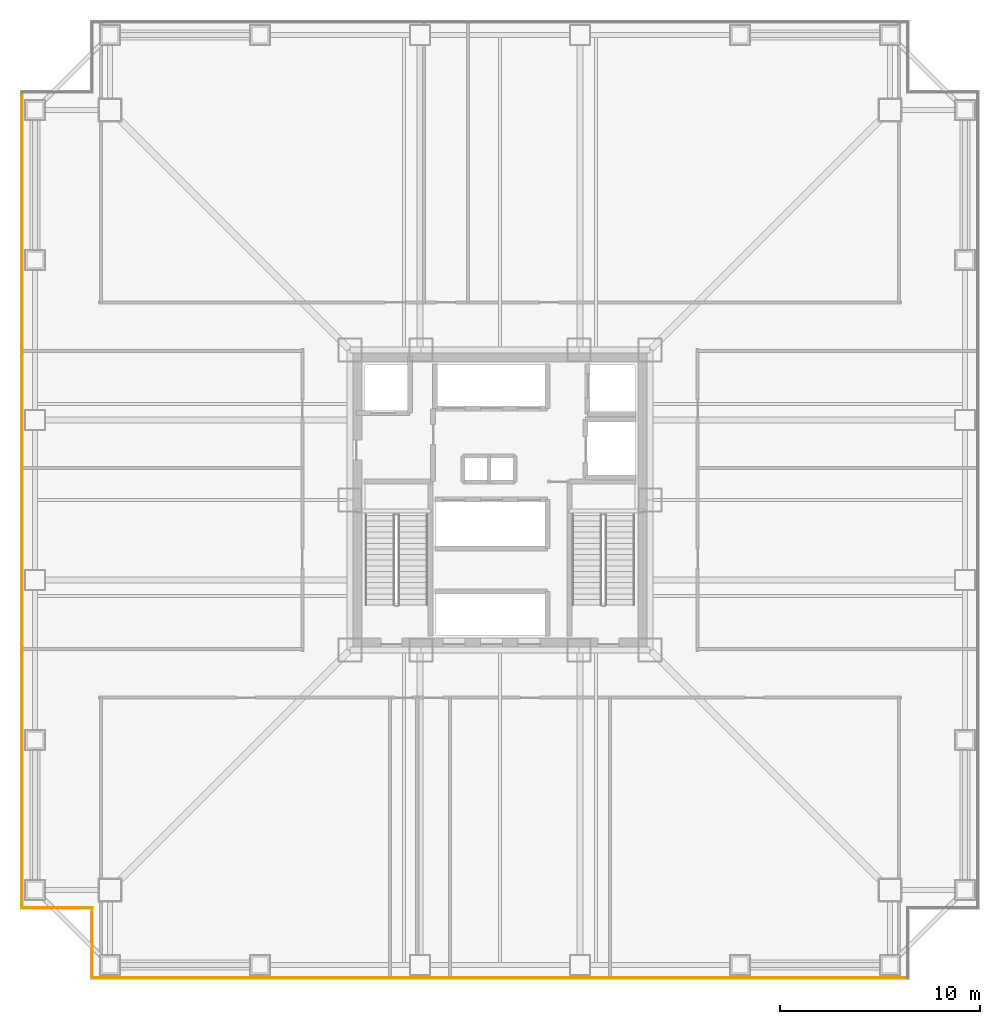
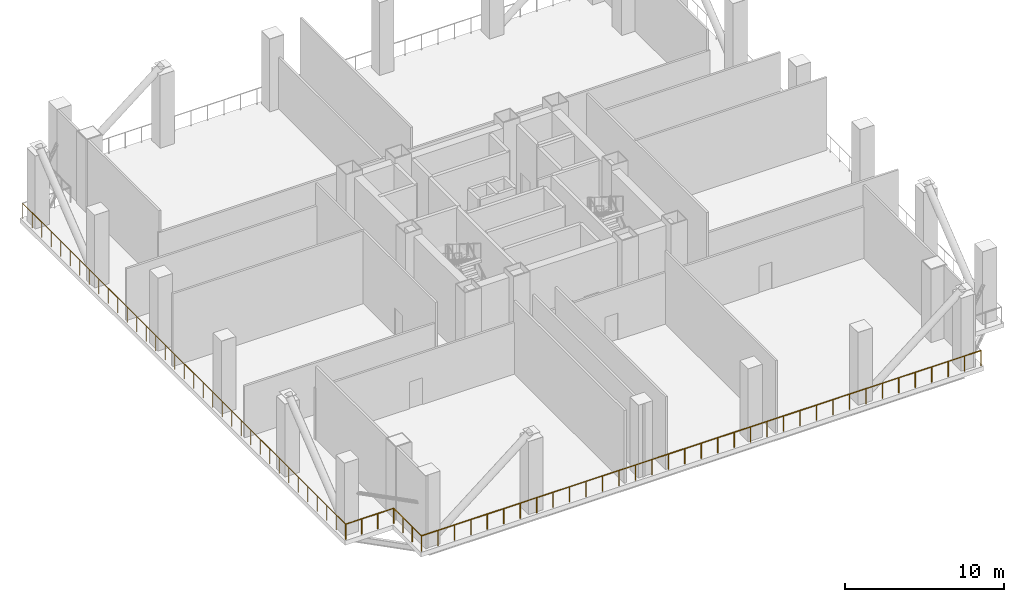
# One storey, part 5 of 7: 4 railings.
"""IFC4 building model written with IfcOpenShell, lengths in metres."""

from ifc_helpers import new_model, si_unit, direction, frame, origin, origin_2d, place, context, subcontext, project, spatial, circle, extrude, material, type_object, element, save


model = new_model("IFC4")

# Units and contexts
model_context = context("Model", 3, precision=1e-05, world=origin(), true_north=direction((0.0, 1.0)))
body_context = subcontext(model_context, "Body", "Model", "MODEL_VIEW")
ifc_project = project(units=[si_unit("LENGTHUNIT", "METRE"), si_unit("AREAUNIT", "SQUARE_METRE"), si_unit("VOLUMEUNIT", "CUBIC_METRE"), si_unit("PLANEANGLEUNIT", "RADIAN"), si_unit("MASSUNIT", "GRAM", prefix="KILO")], contexts=[model_context])

# Site, building, storey
site_placement = place(None, origin())
site = spatial("IfcSite", under=ifc_project, at=site_placement, CompositionType="ELEMENT")
building_placement = place(site_placement, origin())
building = spatial("IfcBuilding", under=site, at=building_placement, Name="Trevonay Congress Spire", CompositionType="ELEMENT")
storey_placement = place(building_placement, frame((0.0, 0.0, 88.0)))
storey = spatial("IfcBuildingStorey", under=building, at=storey_placement, Name="L22", CompositionType="ELEMENT", Elevation=88.0)

# Railings
ifc_material = material(Name="Pale Anodised Aluminium EN AW-6063-T6", Category="aluminium")
railing_type = type_object("IfcRailingType", Name="RAL-WIND-GUARD-120", PredefinedType="GUARDRAIL", material=ifc_material)
railing_1_placement = place(storey_placement, frame((-20.3798828125, -23.8798828125, 0.0)))
element("IfcRailing", 1, at=railing_1_placement, inside=storey, type_object=railing_type, Name="L22 perimeter safety guard GRD-L22-WIND-1", PredefinedType="GUARDRAIL", context=body_context, shape_type="SweptSolid", body=[
    extrude(circle(Radius=0.02392578125, at=origin_2d()), frame((0.0, 0.0, 1.17578125), z_axis=(0.0, 1.0, 0.0), x_axis=(-1.0, 0.0, 0.0)), (0.0, 0.0, 1.0), 3.5),
    extrude(circle(Radius=0.02099609375, at=origin_2d()), origin(), (0.0, 0.0, 1.0), 1.15185546875),
    extrude(circle(Radius=0.02099609375, at=origin_2d()), frame((0.0, 1.166748046875, 0.0)), (0.0, 0.0, 1.0), 1.15185546875),
    extrude(circle(Radius=0.02099609375, at=origin_2d()), frame((0.0, 2.333251953125, 0.0)), (0.0, 0.0, 1.0), 1.15185546875),
    extrude(circle(Radius=0.02099609375, at=origin_2d()), frame((0.0, 3.5, 0.0)), (0.0, 0.0, 1.0), 1.15185546875),
])
railing_2_placement = place(storey_placement, frame((-20.3798828125, -20.3798828125, 0.0)))
element("IfcRailing", 2, at=railing_2_placement, inside=storey, type_object=railing_type, Name="L22 perimeter safety guard GRD-L22-WIND-2", PredefinedType="GUARDRAIL", context=body_context, shape_type="SweptSolid", body=[
    extrude(circle(Radius=0.02392578125, at=origin_2d()), frame((0.0, 0.0, 1.17578125), z_axis=(-1.0, 0.0, 0.0), x_axis=(0.0, -1.0, 0.0)), (0.0, 0.0, 1.0), 3.5),
    extrude(circle(Radius=0.02099609375, at=origin_2d()), origin(), (0.0, 0.0, 1.0), 1.15185546875),
    extrude(circle(Radius=0.02099609375, at=origin_2d()), frame((-1.166748046875, 0.0, 0.0)), (0.0, 0.0, 1.0), 1.15185546875),
    extrude(circle(Radius=0.02099609375, at=origin_2d()), frame((-2.333251953125, 0.0, 0.0)), (0.0, 0.0, 1.0), 1.15185546875),
    extrude(circle(Radius=0.02099609375, at=origin_2d()), frame((-3.5, 0.0, 0.0)), (0.0, 0.0, 1.0), 1.15185546875),
])
railing_3_placement = place(storey_placement, frame((-23.8798828125, -20.3798828125, 0.0)))
element("IfcRailing", 3, at=railing_3_placement, inside=storey, type_object=railing_type, Name="L22 perimeter safety guard GRD-L22-WIND-3", PredefinedType="GUARDRAIL", context=body_context, shape_type="SweptSolid", body=[
    extrude(circle(Radius=0.02392578125, at=origin_2d()), frame((0.0, 0.0, 1.17578125), z_axis=(0.0, 1.0, 0.0), x_axis=(-1.0, 0.0, 0.0)), (0.0, 0.0, 1.0), 40.759765625),
    extrude(circle(Radius=0.02099609375, at=origin_2d()), origin(), (0.0, 0.0, 1.0), 1.15185546875),
    extrude(circle(Radius=0.02099609375, at=origin_2d()), frame((0.0, 1.19873046875, 0.0)), (0.0, 0.0, 1.0), 1.15185546875),
    extrude(circle(Radius=0.02099609375, at=origin_2d()), frame((0.0, 2.397705078125, 0.0)), (0.0, 0.0, 1.0), 1.15185546875),
    extrude(circle(Radius=0.02099609375, at=origin_2d()), frame((0.0, 3.596435546875, 0.0)), (0.0, 0.0, 1.0), 1.15185546875),
    extrude(circle(Radius=0.02099609375, at=origin_2d()), frame((0.0, 4.795166015625, 0.0)), (0.0, 0.0, 1.0), 1.15185546875),
    extrude(circle(Radius=0.02099609375, at=origin_2d()), frame((0.0, 5.994140625, 0.0)), (0.0, 0.0, 1.0), 1.15185546875),
    extrude(circle(Radius=0.02099609375, at=origin_2d()), frame((0.0, 7.19287109375, 0.0)), (0.0, 0.0, 1.0), 1.15185546875),
    extrude(circle(Radius=0.02099609375, at=origin_2d()), frame((0.0, 8.3916015625, 0.0)), (0.0, 0.0, 1.0), 1.15185546875),
    extrude(circle(Radius=0.02099609375, at=origin_2d()), frame((0.0, 9.590576171875, 0.0)), (0.0, 0.0, 1.0), 1.15185546875),
    extrude(circle(Radius=0.02099609375, at=origin_2d()), frame((0.0, 10.789306640625, 0.0)), (0.0, 0.0, 1.0), 1.15185546875),
    extrude(circle(Radius=0.02099609375, at=origin_2d()), frame((0.0, 11.98828125, 0.0)), (0.0, 0.0, 1.0), 1.15185546875),
    extrude(circle(Radius=0.02099609375, at=origin_2d()), frame((0.0, 13.18701171875, 0.0)), (0.0, 0.0, 1.0), 1.15185546875),
    extrude(circle(Radius=0.02099609375, at=origin_2d()), frame((0.0, 14.3857421875, 0.0)), (0.0, 0.0, 1.0), 1.15185546875),
    extrude(circle(Radius=0.02099609375, at=origin_2d()), frame((0.0, 15.584716796875, 0.0)), (0.0, 0.0, 1.0), 1.15185546875),
    extrude(circle(Radius=0.02099609375, at=origin_2d()), frame((0.0, 16.783447265625, 0.0)), (0.0, 0.0, 1.0), 1.15185546875),
    extrude(circle(Radius=0.02099609375, at=origin_2d()), frame((0.0, 17.982177734375, 0.0)), (0.0, 0.0, 1.0), 1.15185546875),
    extrude(circle(Radius=0.02099609375, at=origin_2d()), frame((0.0, 19.18115234375, 0.0)), (0.0, 0.0, 1.0), 1.15185546875),
    extrude(circle(Radius=0.02099609375, at=origin_2d()), frame((0.0, 20.3798828125, 0.0)), (0.0, 0.0, 1.0), 1.15185546875),
    extrude(circle(Radius=0.02099609375, at=origin_2d()), frame((0.0, 21.57861328125, 0.0)), (0.0, 0.0, 1.0), 1.15185546875),
    extrude(circle(Radius=0.02099609375, at=origin_2d()), frame((0.0, 22.777587890625, 0.0)), (0.0, 0.0, 1.0), 1.15185546875),
    extrude(circle(Radius=0.02099609375, at=origin_2d()), frame((0.0, 23.976318359375, 0.0)), (0.0, 0.0, 1.0), 1.15185546875),
    extrude(circle(Radius=0.02099609375, at=origin_2d()), frame((0.0, 25.175048828125, 0.0)), (0.0, 0.0, 1.0), 1.15185546875),
    extrude(circle(Radius=0.02099609375, at=origin_2d()), frame((0.0, 26.3740234375, 0.0)), (0.0, 0.0, 1.0), 1.15185546875),
    extrude(circle(Radius=0.02099609375, at=origin_2d()), frame((0.0, 27.57275390625, 0.0)), (0.0, 0.0, 1.0), 1.15185546875),
    extrude(circle(Radius=0.02099609375, at=origin_2d()), frame((0.0, 28.771484375, 0.0)), (0.0, 0.0, 1.0), 1.15185546875),
    extrude(circle(Radius=0.02099609375, at=origin_2d()), frame((0.0, 29.970458984375, 0.0)), (0.0, 0.0, 1.0), 1.15185546875),
    extrude(circle(Radius=0.02099609375, at=origin_2d()), frame((0.0, 31.169189453125, 0.0)), (0.0, 0.0, 1.0), 1.15185546875),
    extrude(circle(Radius=0.02099609375, at=origin_2d()), frame((0.0, 32.3681640625, 0.0)), (0.0, 0.0, 1.0), 1.15185546875),
    extrude(circle(Radius=0.02099609375, at=origin_2d()), frame((0.0, 33.56689453125, 0.0)), (0.0, 0.0, 1.0), 1.15185546875),
    extrude(circle(Radius=0.02099609375, at=origin_2d()), frame((0.0, 34.765625, 0.0)), (0.0, 0.0, 1.0), 1.15185546875),
    extrude(circle(Radius=0.02099609375, at=origin_2d()), frame((0.0, 35.964599609375, 0.0)), (0.0, 0.0, 1.0), 1.15185546875),
    extrude(circle(Radius=0.02099609375, at=origin_2d()), frame((0.0, 37.163330078125, 0.0)), (0.0, 0.0, 1.0), 1.15185546875),
    extrude(circle(Radius=0.02099609375, at=origin_2d()), frame((0.0, 38.362060546875, 0.0)), (0.0, 0.0, 1.0), 1.15185546875),
    extrude(circle(Radius=0.02099609375, at=origin_2d()), frame((0.0, 39.56103515625, 0.0)), (0.0, 0.0, 1.0), 1.15185546875),
    extrude(circle(Radius=0.02099609375, at=origin_2d()), frame((0.0, 40.759765625, 0.0)), (0.0, 0.0, 1.0), 1.15185546875),
])
railing_4_placement = place(storey_placement, frame((20.3798828125, -23.8798828125, 0.0)))
element("IfcRailing", 4, at=railing_4_placement, inside=storey, type_object=railing_type, Name="L22 perimeter safety guard GRD-L22-WIND-12", PredefinedType="GUARDRAIL", context=body_context, shape_type="SweptSolid", body=[
    extrude(circle(Radius=0.02392578125, at=origin_2d()), frame((0.0, 0.0, 1.17578125), z_axis=(-1.0, 0.0, 0.0), x_axis=(0.0, -1.0, 0.0)), (0.0, 0.0, 1.0), 40.759765625),
    extrude(circle(Radius=0.02099609375, at=origin_2d()), origin(), (0.0, 0.0, 1.0), 1.15185546875),
    extrude(circle(Radius=0.02099609375, at=origin_2d()), frame((-1.19873046875, 0.0, 0.0)), (0.0, 0.0, 1.0), 1.15185546875),
    extrude(circle(Radius=0.02099609375, at=origin_2d()), frame((-2.397705078125, 0.0, 0.0)), (0.0, 0.0, 1.0), 1.15185546875),
    extrude(circle(Radius=0.02099609375, at=origin_2d()), frame((-3.596435546875, 0.0, 0.0)), (0.0, 0.0, 1.0), 1.15185546875),
    extrude(circle(Radius=0.02099609375, at=origin_2d()), frame((-4.795166015625, 0.0, 0.0)), (0.0, 0.0, 1.0), 1.15185546875),
    extrude(circle(Radius=0.02099609375, at=origin_2d()), frame((-5.994140625, 0.0, 0.0)), (0.0, 0.0, 1.0), 1.15185546875),
    extrude(circle(Radius=0.02099609375, at=origin_2d()), frame((-7.19287109375, 0.0, 0.0)), (0.0, 0.0, 1.0), 1.15185546875),
    extrude(circle(Radius=0.02099609375, at=origin_2d()), frame((-8.3916015625, 0.0, 0.0)), (0.0, 0.0, 1.0), 1.15185546875),
    extrude(circle(Radius=0.02099609375, at=origin_2d()), frame((-9.590576171875, 0.0, 0.0)), (0.0, 0.0, 1.0), 1.15185546875),
    extrude(circle(Radius=0.02099609375, at=origin_2d()), frame((-10.789306640625, 0.0, 0.0)), (0.0, 0.0, 1.0), 1.15185546875),
    extrude(circle(Radius=0.02099609375, at=origin_2d()), frame((-11.98828125, 0.0, 0.0)), (0.0, 0.0, 1.0), 1.15185546875),
    extrude(circle(Radius=0.02099609375, at=origin_2d()), frame((-13.18701171875, 0.0, 0.0)), (0.0, 0.0, 1.0), 1.15185546875),
    extrude(circle(Radius=0.02099609375, at=origin_2d()), frame((-14.3857421875, 0.0, 0.0)), (0.0, 0.0, 1.0), 1.15185546875),
    extrude(circle(Radius=0.02099609375, at=origin_2d()), frame((-15.584716796875, 0.0, 0.0)), (0.0, 0.0, 1.0), 1.15185546875),
    extrude(circle(Radius=0.02099609375, at=origin_2d()), frame((-16.783447265625, 0.0, 0.0)), (0.0, 0.0, 1.0), 1.15185546875),
    extrude(circle(Radius=0.02099609375, at=origin_2d()), frame((-17.982177734375, 0.0, 0.0)), (0.0, 0.0, 1.0), 1.15185546875),
    extrude(circle(Radius=0.02099609375, at=origin_2d()), frame((-19.18115234375, 0.0, 0.0)), (0.0, 0.0, 1.0), 1.15185546875),
    extrude(circle(Radius=0.02099609375, at=origin_2d()), frame((-20.3798828125, 0.0, 0.0)), (0.0, 0.0, 1.0), 1.15185546875),
    extrude(circle(Radius=0.02099609375, at=origin_2d()), frame((-21.57861328125, 0.0, 0.0)), (0.0, 0.0, 1.0), 1.15185546875),
    extrude(circle(Radius=0.02099609375, at=origin_2d()), frame((-22.777587890625, 0.0, 0.0)), (0.0, 0.0, 1.0), 1.15185546875),
    extrude(circle(Radius=0.02099609375, at=origin_2d()), frame((-23.976318359375, 0.0, 0.0)), (0.0, 0.0, 1.0), 1.15185546875),
    extrude(circle(Radius=0.02099609375, at=origin_2d()), frame((-25.175048828125, 0.0, 0.0)), (0.0, 0.0, 1.0), 1.15185546875),
    extrude(circle(Radius=0.02099609375, at=origin_2d()), frame((-26.3740234375, 0.0, 0.0)), (0.0, 0.0, 1.0), 1.15185546875),
    extrude(circle(Radius=0.02099609375, at=origin_2d()), frame((-27.57275390625, 0.0, 0.0)), (0.0, 0.0, 1.0), 1.15185546875),
    extrude(circle(Radius=0.02099609375, at=origin_2d()), frame((-28.771484375, 0.0, 0.0)), (0.0, 0.0, 1.0), 1.15185546875),
    extrude(circle(Radius=0.02099609375, at=origin_2d()), frame((-29.970458984375, 0.0, 0.0)), (0.0, 0.0, 1.0), 1.15185546875),
    extrude(circle(Radius=0.02099609375, at=origin_2d()), frame((-31.169189453125, 0.0, 0.0)), (0.0, 0.0, 1.0), 1.15185546875),
    extrude(circle(Radius=0.02099609375, at=origin_2d()), frame((-32.3681640625, 0.0, 0.0)), (0.0, 0.0, 1.0), 1.15185546875),
    extrude(circle(Radius=0.02099609375, at=origin_2d()), frame((-33.56689453125, 0.0, 0.0)), (0.0, 0.0, 1.0), 1.15185546875),
    extrude(circle(Radius=0.02099609375, at=origin_2d()), frame((-34.765625, 0.0, 0.0)), (0.0, 0.0, 1.0), 1.15185546875),
    extrude(circle(Radius=0.02099609375, at=origin_2d()), frame((-35.964599609375, 0.0, 0.0)), (0.0, 0.0, 1.0), 1.15185546875),
    extrude(circle(Radius=0.02099609375, at=origin_2d()), frame((-37.163330078125, 0.0, 0.0)), (0.0, 0.0, 1.0), 1.15185546875),
    extrude(circle(Radius=0.02099609375, at=origin_2d()), frame((-38.362060546875, 0.0, 0.0)), (0.0, 0.0, 1.0), 1.15185546875),
    extrude(circle(Radius=0.02099609375, at=origin_2d()), frame((-39.56103515625, 0.0, 0.0)), (0.0, 0.0, 1.0), 1.15185546875),
    extrude(circle(Radius=0.02099609375, at=origin_2d()), frame((-40.759765625, 0.0, 0.0)), (0.0, 0.0, 1.0), 1.15185546875),
])

save(model, "model.ifc")
